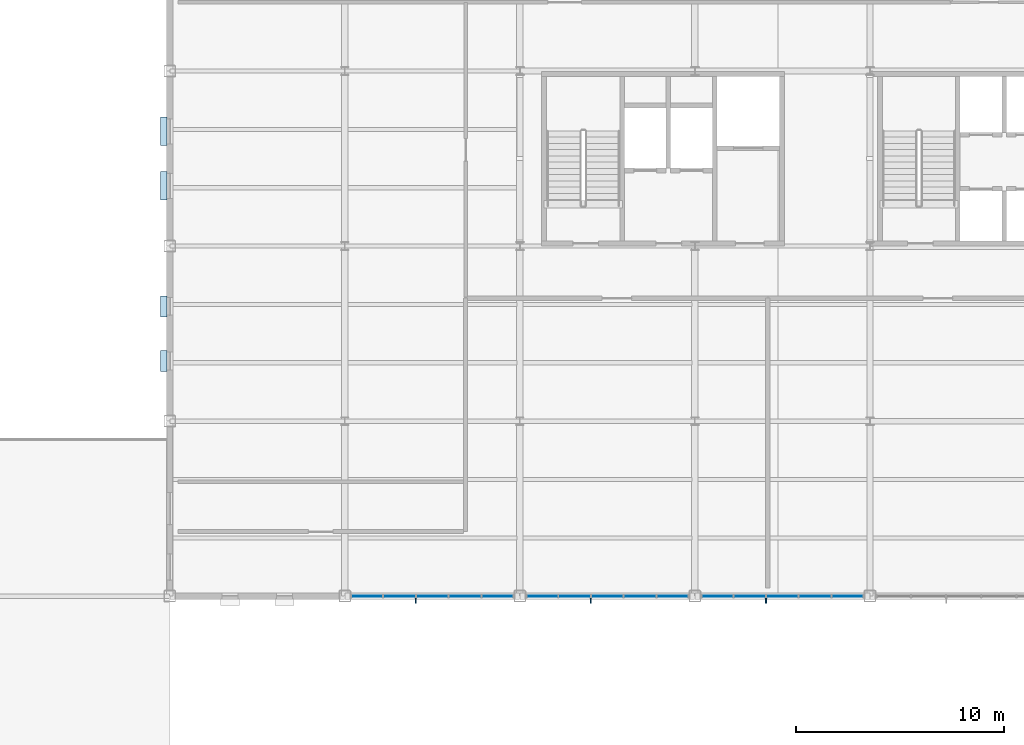
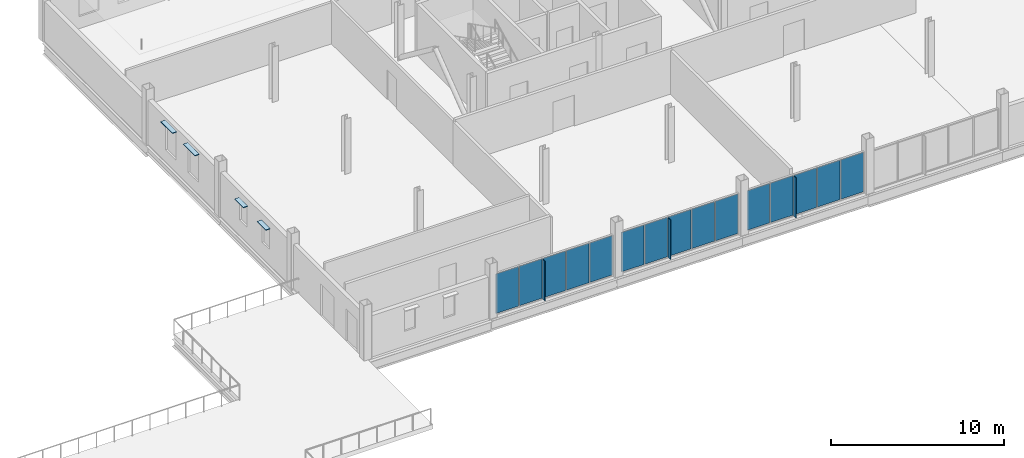
# One storey, part 44 of 77: 22 plates, 3 elements without a shape of their own.
"""IFC4 building model written with IfcOpenShell, lengths in metres."""

import ifcopenshell
import ifcopenshell.guid

model = None  # the IFC model being written
_history = None  # IfcOwnerHistory: only IFC2X3 demands one
_inside = {}  # id of a spatial element -> (the spatial element, [elements in it])
_under = {}  # id of a project, library or spatial element -> (it, [spatial elements below it])
_declared = {}  # id of a project -> (the project, [libraries it declares])
_typed = {}  # id of a type object -> (the type object, [elements of that type])
_made_of = {}  # id of a material, layer set ... -> (it, [elements and type objects made of it])


def new_model(schema):
    """Start an empty IFC model of exactly this schema.

    Asked for "IFC4X3", IfcOpenShell would pick the latest addendum, in which some entities
    have other attributes; the version numbers below select the first issue.
    IFC2X3 requires an IfcOwnerHistory on every rooted entity: one is made here for all.
    """
    global model, _history
    if schema == "IFC4X3":
        model = ifcopenshell.file(schema_version=(4, 3, 0, 0))
    else:
        model = ifcopenshell.file(schema=schema)
    _inside.clear()
    _under.clear()
    _declared.clear()
    _typed.clear()
    _made_of.clear()
    _history = None
    if model.schema == "IFC2X3":
        org = make("IfcOrganization", Name="unknown")
        user = make(
            "IfcPersonAndOrganization",
            ThePerson=make("IfcPerson", FamilyName="unknown"),
            TheOrganization=org,
        )
        app = make(
            "IfcApplication",
            ApplicationDeveloper=org,
            Version="unknown",
            ApplicationFullName="unknown",
            ApplicationIdentifier="unknown",
        )
        _history = make(
            "IfcOwnerHistory",
            OwningUser=user,
            OwningApplication=app,
            ChangeAction="ADDED",
            CreationDate=0,
        )
    return model


def make(cls, **values):
    """One entity of the class cls with the attributes given. An attribute that is None is left unset."""
    return model.create_entity(
        cls, **{name: value for name, value in values.items() if value is not None}
    )


def rooted(cls, **values):
    """An entity with a GlobalId (a new one), such as an element, a storey or a relation."""
    return make(cls, GlobalId=ifcopenshell.guid.new(), OwnerHistory=_history, **values)


def si_unit(unit_type, name, prefix=None):
    """IfcSIUnit, for example si_unit("LENGTHUNIT", "METRE", prefix="MILLI")."""
    return make("IfcSIUnit", UnitType=unit_type, Prefix=prefix, Name=name)


def assignment(units):
    """IfcUnitAssignment: the units of a project."""
    return None if units is None else make("IfcUnitAssignment", Units=units)


def point(xyz):
    """IfcCartesianPoint."""
    return None if xyz is None else make("IfcCartesianPoint", Coordinates=xyz)


def direction(xyz):
    """IfcDirection."""
    return None if xyz is None else make("IfcDirection", DirectionRatios=xyz)


def frame(location, z_axis=None, x_axis=None):
    """IfcAxis2Placement3D, a coordinate frame: its origin and axes. An axis left out is left unset."""
    return make(
        "IfcAxis2Placement3D",
        Location=point(location),
        Axis=direction(z_axis),
        RefDirection=direction(x_axis),
    )


def frame_2d(location, x_axis=None):
    """IfcAxis2Placement2D, a coordinate frame in the plane: its origin and x axis."""
    return make(
        "IfcAxis2Placement2D", Location=point(location), RefDirection=direction(x_axis)
    )


def origin():
    """The frame at (0, 0, 0) with its axes left unset."""
    return frame((0.0, 0.0, 0.0))


def origin_2d():
    """The frame at (0, 0) in the plane with its x axis left unset."""
    return frame_2d((0.0, 0.0))


def place(relative_to, where):
    """IfcLocalPlacement: puts the frame where relative to a parent placement (None: the world)."""
    return make(
        "IfcLocalPlacement", PlacementRelTo=relative_to, RelativePlacement=where
    )


def context(
    kind, dimensions, precision=None, world=None, true_north=None, identifier=None
):
    """IfcGeometricRepresentationContext, for example the 3D "Model" context."""
    return make(
        "IfcGeometricRepresentationContext",
        ContextIdentifier=identifier,
        ContextType=kind,
        CoordinateSpaceDimension=dimensions,
        Precision=precision,
        WorldCoordinateSystem=world,
        TrueNorth=true_north,
    )


def subcontext(parent, identifier, kind, view, scale=None):
    """IfcGeometricRepresentationSubContext, for example "Body" below "Model"."""
    return make(
        "IfcGeometricRepresentationSubContext",
        ContextIdentifier=identifier,
        ContextType=kind,
        ParentContext=parent,
        TargetScale=scale,
        TargetView=view,
    )


def project(units=None, contexts=None):
    """IfcProject with its units and contexts."""
    return rooted(
        "IfcProject",
        Name="project",
        RepresentationContexts=contexts,
        UnitsInContext=assignment(units),
    )


def spatial(cls, under=None, at=None, **own):
    """A site, building, storey or space (cls), placed at a placement, below another one or the project."""
    s = rooted(cls, ObjectPlacement=at, **own)
    if under is not None:
        _under.setdefault(under.id(), (under, []))[1].append(s)
    return s


def profile(cls, at=None, kind="AREA", **sizes):
    """A parametric profile (cls). Its sizes go by their IFC names, for example OverallWidth=200.0."""
    return make(cls, ProfileType=kind, Position=at, **sizes)


def rectangle(**sizes):
    """IfcRectangleProfileDef."""
    return profile("IfcRectangleProfileDef", **sizes)


def extrude(swept, where, along, depth):
    """IfcExtrudedAreaSolid: the profile swept, set in the frame where, extruded along a direction by depth."""
    return make(
        "IfcExtrudedAreaSolid",
        SweptArea=swept,
        Position=where,
        ExtrudedDirection=direction(along),
        Depth=depth,
    )


def shape(context_of_items, identifier, shape_type, items):
    """IfcShapeRepresentation: the items that make up one representation, for example the "Body"."""
    return make(
        "IfcShapeRepresentation",
        ContextOfItems=context_of_items,
        RepresentationIdentifier=identifier,
        RepresentationType=shape_type,
        Items=items,
    )


def material(Name=None, Category=None):
    """IfcMaterial."""
    return make("IfcMaterial", Name=Name, Category=Category)


def layer(
    of_material, thickness, ventilated=None, Name=None, Category=None, Priority=None
):
    """IfcMaterialLayer: one layer of a wall or slab, of a material (None: an air gap)."""
    return make(
        "IfcMaterialLayer",
        Material=of_material,
        LayerThickness=thickness,
        IsVentilated=ventilated,
        Name=Name,
        Category=Category,
        Priority=Priority,
    )


def layer_set(layers, Name=None):
    """IfcMaterialLayerSet."""
    return make("IfcMaterialLayerSet", MaterialLayers=layers, LayerSetName=Name)


def made_of(thing, what):
    """Note that an element or type object is made of a material, layer set ...; save() writes the relation."""
    if what is not None:
        _made_of.setdefault(what.id(), (what, []))[1].append(thing)
    return thing


def type_object(cls, material=None, **own):
    """A type object (cls), such as IfcWallType, which elements share."""
    return made_of(rooted(cls, **own), material)


def element(
    cls,
    number,
    at=None,
    inside=None,
    cuts=None,
    type_object=None,
    material=None,
    context=None,
    identifier="Body",
    shape_type=None,
    held_by="IfcProductDefinitionShape",
    body=None,
    shapes=None,
    **own,
):
    """One element of the class cls, such as IfcWall. Its Tag is "e" and its number.

    at: its placement. inside: the storey or other place that contains it. cuts: it is an
    opening in that element (IfcRelVoidsElement). A single representation is given by context,
    identifier, shape_type and body (its items); several are given by shapes. held_by: the class
    of the entity that holds the representations. save() writes the other relations.
    """
    e = rooted(cls, Tag="e%d" % number, ObjectPlacement=at, **own)
    if body is not None:
        shapes = [shape(context, identifier, shape_type, body)]
    if shapes is not None:
        e.Representation = make(held_by, Representations=shapes)
    if inside is not None:
        _inside.setdefault(inside.id(), (inside, []))[1].append(e)
    if cuts is not None:
        rooted(
            "IfcRelVoidsElement", RelatingBuildingElement=cuts, RelatedOpeningElement=e
        )
    if type_object is not None:
        _typed.setdefault(type_object.id(), (type_object, []))[1].append(e)
    return made_of(e, material)


def aggregate(whole, parts):
    """IfcRelAggregates: a whole, such as a stair, and the parts it consists of."""
    return rooted("IfcRelAggregates", RelatingObject=whole, RelatedObjects=parts)


def save(model, path):
    """Write the relations noted so far, then the file.

    IfcRelAggregates (storeys below a building ...), IfcRelContainedInSpatialStructure (elements
    in a storey), IfcRelDefinesByType, IfcRelAssociatesMaterial and IfcRelDeclares: one each for
    every whole, place, type object, material and project.
    """
    for whole, parts in _under.values():
        aggregate(whole, parts)
    for where, things in _inside.values():
        rooted(
            "IfcRelContainedInSpatialStructure",
            RelatedElements=things,
            RelatingStructure=where,
        )
    for kind, things in _typed.values():
        rooted("IfcRelDefinesByType", RelatedObjects=things, RelatingType=kind)
    for what, things in _made_of.values():
        rooted("IfcRelAssociatesMaterial", RelatedObjects=things, RelatingMaterial=what)
    for by, libraries in _declared.values():
        rooted("IfcRelDeclares", RelatingContext=by, RelatedDefinitions=libraries)
    model.write(path)


model = new_model("IFC4")

# Units and contexts
model_context = context("Model", 3, precision=1e-05, world=origin(), true_north=direction((0.0, 1.0)))
body_context = subcontext(model_context, "Body", "Model", "MODEL_VIEW")
ifc_project = project(units=[si_unit("LENGTHUNIT", "METRE"), si_unit("AREAUNIT", "SQUARE_METRE"), si_unit("VOLUMEUNIT", "CUBIC_METRE"), si_unit("PLANEANGLEUNIT", "RADIAN"), si_unit("MASSUNIT", "GRAM", prefix="KILO")], contexts=[model_context])

# Site, building, storey
site_placement = place(None, origin())
site = spatial("IfcSite", under=ifc_project, at=site_placement, CompositionType="ELEMENT")
building_placement = place(site_placement, origin())
building = spatial("IfcBuilding", under=site, at=building_placement, Name="Yukiwa Park Conservatory and Herbarium", CompositionType="ELEMENT")
storey_placement = place(building_placement, frame((0.0, 0.0, 13.199951171875)))
storey = spatial("IfcBuildingStorey", under=building, at=storey_placement, Name="L03", CompositionType="ELEMENT", Elevation=13.199951171875)

# Curtain wall, plates
ifc_material_1 = material(Name="Triple Low-E Insulated Glass", Category="glass")
ifc_layer_1 = layer(ifc_material_1, 0.199951171875)
ifc_layer_set_1 = layer_set([ifc_layer_1], Name="Triple Low-E Insulated Glass")
curtain_wall_type = type_object("IfcCurtainWallType", Name="CW-VISITOR-1600", PredefinedType="NOTDEFINED", material=ifc_layer_set_1)
curtain_wall_1_placement = place(storey_placement, origin())
curtain_wall_1 = element("IfcCurtainWall", 1, at=curtain_wall_1_placement, inside=storey, type_object=curtain_wall_type, Name="L03 unitised curtain wall CW-L03-068", PredefinedType="NOTDEFINED")
ifc_material_2 = material(Name="Triple Low-E Insulated Glass", Category="glass")
ifc_layer_2 = layer(ifc_material_2, 0.035888671875)
ifc_layer_set_2 = layer_set([ifc_layer_2], Name="Triple Low-E Insulated Glass")
plate_type_1 = type_object("IfcPlateType", Name="PL-CW-GLZ-36", PredefinedType="CURTAIN_PANEL", material=ifc_layer_set_2)
plate_1_placement = place(storey_placement, frame((125.860107421875, 78.0, 0.070068359375), z_axis=(0.0, 0.0, 1.0), x_axis=(1.0, 0.0, 0.0)))
plate_1 = element("IfcPlate", 2, at=plate_1_placement, type_object=plate_type_1, Name="CW-L03-068 vision panel 1.1", PredefinedType="CURTAIN_PANEL", context=body_context, shape_type="SweptSolid", body=[
    extrude(rectangle(XDim=1.5, YDim=0.035888671875, at=origin_2d()), origin(), (0.0, 0.0, 1.0), 2.7880859375),
])
plate_2_placement = place(storey_placement, frame((127.429931640625, 78.0, 0.070068359375), z_axis=(0.0, 0.0, 1.0), x_axis=(1.0, 0.0, 0.0)))
plate_2 = element("IfcPlate", 3, at=plate_2_placement, type_object=plate_type_1, Name="CW-L03-068 vision panel 2.1", PredefinedType="CURTAIN_PANEL", context=body_context, shape_type="SweptSolid", body=[
    extrude(rectangle(XDim=1.5, YDim=0.035888671875, at=origin_2d()), origin(), (0.0, 0.0, 1.0), 2.7880859375),
])
plate_3_placement = place(storey_placement, frame((129.0, 78.0, 0.070068359375), z_axis=(0.0, 0.0, 1.0), x_axis=(1.0, 0.0, 0.0)))
plate_3 = element("IfcPlate", 4, at=plate_3_placement, type_object=plate_type_1, Name="CW-L03-068 vision panel 3.1", PredefinedType="CURTAIN_PANEL", context=body_context, shape_type="SweptSolid", body=[
    extrude(rectangle(XDim=1.5, YDim=0.035888671875, at=origin_2d()), origin(), (0.0, 0.0, 1.0), 2.7880859375),
])
plate_4_placement = place(storey_placement, frame((130.570068359375, 78.0, 0.070068359375), z_axis=(0.0, 0.0, 1.0), x_axis=(1.0, 0.0, 0.0)))
plate_4 = element("IfcPlate", 5, at=plate_4_placement, type_object=plate_type_1, Name="CW-L03-068 vision panel 4.1", PredefinedType="CURTAIN_PANEL", context=body_context, shape_type="SweptSolid", body=[
    extrude(rectangle(XDim=1.5, YDim=0.035888671875, at=origin_2d()), origin(), (0.0, 0.0, 1.0), 2.7880859375),
])
plate_5_placement = place(storey_placement, frame((132.139892578125, 78.0, 0.070068359375), z_axis=(0.0, 0.0, 1.0), x_axis=(1.0, 0.0, 0.0)))
plate_5 = element("IfcPlate", 6, at=plate_5_placement, type_object=plate_type_1, Name="CW-L03-068 vision panel 5.1", PredefinedType="CURTAIN_PANEL", context=body_context, shape_type="SweptSolid", body=[
    extrude(rectangle(XDim=1.5, YDim=0.035888671875, at=origin_2d()), origin(), (0.0, 0.0, 1.0), 2.7880859375),
])
aggregate(curtain_wall_1, [plate_1, plate_2, plate_3, plate_4, plate_5])

curtain_wall_2_placement = place(storey_placement, origin())
curtain_wall_2 = element("IfcCurtainWall", 7, at=curtain_wall_2_placement, inside=storey, type_object=curtain_wall_type, Name="L03 unitised curtain wall CW-L03-069", PredefinedType="NOTDEFINED")
plate_6_placement = place(storey_placement, frame((134.260009765625, 78.0, 0.070068359375), z_axis=(0.0, 0.0, 1.0), x_axis=(1.0, 0.0, 0.0)))
plate_6 = element("IfcPlate", 8, at=plate_6_placement, type_object=plate_type_1, Name="CW-L03-069 vision panel 1.1", PredefinedType="CURTAIN_PANEL", context=body_context, shape_type="SweptSolid", body=[
    extrude(rectangle(XDim=1.5, YDim=0.035888671875, at=origin_2d()), origin(), (0.0, 0.0, 1.0), 2.7880859375),
])
plate_7_placement = place(storey_placement, frame((135.830078125, 78.0, 0.070068359375), z_axis=(0.0, 0.0, 1.0), x_axis=(1.0, 0.0, 0.0)))
plate_7 = element("IfcPlate", 9, at=plate_7_placement, type_object=plate_type_1, Name="CW-L03-069 vision panel 2.1", PredefinedType="CURTAIN_PANEL", context=body_context, shape_type="SweptSolid", body=[
    extrude(rectangle(XDim=1.5, YDim=0.035888671875, at=origin_2d()), origin(), (0.0, 0.0, 1.0), 2.7880859375),
])
plate_8_placement = place(storey_placement, frame((137.39990234375, 78.0, 0.070068359375), z_axis=(0.0, 0.0, 1.0), x_axis=(1.0, 0.0, 0.0)))
plate_8 = element("IfcPlate", 10, at=plate_8_placement, type_object=plate_type_1, Name="CW-L03-069 vision panel 3.1", PredefinedType="CURTAIN_PANEL", context=body_context, shape_type="SweptSolid", body=[
    extrude(rectangle(XDim=1.5, YDim=0.035888671875, at=origin_2d()), origin(), (0.0, 0.0, 1.0), 2.7880859375),
])
plate_9_placement = place(storey_placement, frame((138.969970703125, 78.0, 0.070068359375), z_axis=(0.0, 0.0, 1.0), x_axis=(1.0, 0.0, 0.0)))
plate_9 = element("IfcPlate", 11, at=plate_9_placement, type_object=plate_type_1, Name="CW-L03-069 vision panel 4.1", PredefinedType="CURTAIN_PANEL", context=body_context, shape_type="SweptSolid", body=[
    extrude(rectangle(XDim=1.5, YDim=0.035888671875, at=origin_2d()), origin(), (0.0, 0.0, 1.0), 2.7880859375),
])
plate_10_placement = place(storey_placement, frame((140.5400390625, 78.0, 0.070068359375), z_axis=(0.0, 0.0, 1.0), x_axis=(1.0, 0.0, 0.0)))
plate_10 = element("IfcPlate", 12, at=plate_10_placement, type_object=plate_type_1, Name="CW-L03-069 vision panel 5.1", PredefinedType="CURTAIN_PANEL", context=body_context, shape_type="SweptSolid", body=[
    extrude(rectangle(XDim=1.5, YDim=0.035888671875, at=origin_2d()), origin(), (0.0, 0.0, 1.0), 2.7880859375),
])
aggregate(curtain_wall_2, [plate_6, plate_7, plate_8, plate_9, plate_10])

curtain_wall_3_placement = place(storey_placement, origin())
curtain_wall_3 = element("IfcCurtainWall", 13, at=curtain_wall_3_placement, inside=storey, type_object=curtain_wall_type, Name="L03 unitised curtain wall CW-L03-070", PredefinedType="NOTDEFINED")
plate_11_placement = place(storey_placement, frame((142.659912109375, 78.0, 0.070068359375), z_axis=(0.0, 0.0, 1.0), x_axis=(1.0, 0.0, 0.0)))
plate_11 = element("IfcPlate", 14, at=plate_11_placement, type_object=plate_type_1, Name="CW-L03-070 vision panel 1.1", PredefinedType="CURTAIN_PANEL", context=body_context, shape_type="SweptSolid", body=[
    extrude(rectangle(XDim=1.5, YDim=0.035888671875, at=origin_2d()), origin(), (0.0, 0.0, 1.0), 2.7880859375),
])
plate_12_placement = place(storey_placement, frame((144.22998046875, 78.0, 0.070068359375), z_axis=(0.0, 0.0, 1.0), x_axis=(1.0, 0.0, 0.0)))
plate_12 = element("IfcPlate", 15, at=plate_12_placement, type_object=plate_type_1, Name="CW-L03-070 vision panel 2.1", PredefinedType="CURTAIN_PANEL", context=body_context, shape_type="SweptSolid", body=[
    extrude(rectangle(XDim=1.5, YDim=0.035888671875, at=origin_2d()), origin(), (0.0, 0.0, 1.0), 2.7880859375),
])
plate_13_placement = place(storey_placement, frame((145.800048828125, 78.0, 0.070068359375), z_axis=(0.0, 0.0, 1.0), x_axis=(1.0, 0.0, 0.0)))
plate_13 = element("IfcPlate", 16, at=plate_13_placement, type_object=plate_type_1, Name="CW-L03-070 vision panel 3.1", PredefinedType="CURTAIN_PANEL", context=body_context, shape_type="SweptSolid", body=[
    extrude(rectangle(XDim=1.5, YDim=0.035888671875, at=origin_2d()), origin(), (0.0, 0.0, 1.0), 2.7880859375),
])
plate_14_placement = place(storey_placement, frame((147.3701171875, 78.0, 0.070068359375), z_axis=(0.0, 0.0, 1.0), x_axis=(1.0, 0.0, 0.0)))
plate_14 = element("IfcPlate", 17, at=plate_14_placement, type_object=plate_type_1, Name="CW-L03-070 vision panel 4.1", PredefinedType="CURTAIN_PANEL", context=body_context, shape_type="SweptSolid", body=[
    extrude(rectangle(XDim=1.5, YDim=0.035888671875, at=origin_2d()), origin(), (0.0, 0.0, 1.0), 2.7880859375),
])
plate_15_placement = place(storey_placement, frame((148.93994140625, 78.0, 0.070068359375), z_axis=(0.0, 0.0, 1.0), x_axis=(1.0, 0.0, 0.0)))
plate_15 = element("IfcPlate", 18, at=plate_15_placement, type_object=plate_type_1, Name="CW-L03-070 vision panel 5.1", PredefinedType="CURTAIN_PANEL", context=body_context, shape_type="SweptSolid", body=[
    extrude(rectangle(XDim=1.5, YDim=0.035888671875, at=origin_2d()), origin(), (0.0, 0.0, 1.0), 2.7880859375),
])
aggregate(curtain_wall_3, [plate_11, plate_12, plate_13, plate_14, plate_15])

# Plates
ifc_material_3 = material(Name="Anodised Aluminium", Category="aluminium")
ifc_layer_3 = layer(ifc_material_3, 0.050048828125)
ifc_layer_set_3 = layer_set([ifc_layer_3], Name="Anodised Aluminium")
plate_type_2 = type_object("IfcPlateType", Name="PL-FIN-ALU-50", PredefinedType="USERDEFINED", material=ifc_layer_set_3)
for number, where, z_axis, x_axis, name in (
    (19, (128.215087890625, 77.81005859375, 0.06005859375), (0.0, 0.0, 1.0), (1.0, 0.0, 0.0), "CW-L03-068 exterior vertical shading fin"),
    (20, (136.614990234375, 77.81005859375, 0.06005859375), (0.0, 0.0, 1.0), (1.0, 0.0, 0.0), "CW-L03-069 exterior vertical shading fin"),
    (21, (145.014892578125, 77.81005859375, 0.06005859375), (0.0, 0.0, 1.0), (1.0, 0.0, 0.0), "CW-L03-070 exterior vertical shading fin"),
):
    element("IfcPlate", number, at=place(storey_placement, frame(where, z_axis=z_axis, x_axis=x_axis)), inside=storey, type_object=plate_type_2, Name=name, ObjectType="SHADING FIN", PredefinedType="USERDEFINED", context=body_context, shape_type="SweptSolid", body=[
        extrude(rectangle(XDim=0.050048828125, YDim=0.280029296875, at=origin_2d()), origin(), (0.0, 0.0, 1.0), 2.80810546875),
    ])
ifc_material_4 = material(Name="Anodised Aluminium", Category="aluminium")
ifc_layer_4 = layer(ifc_material_4, 0.0400390625)
ifc_layer_set_4 = layer_set([ifc_layer_4], Name="Anodised Aluminium")
plate_type_3 = type_object("IfcPlateType", Name="PL-SHADE-ALU-40", PredefinedType="SHEET", material=ifc_layer_set_4)
for number, where, z_axis, x_axis, name in (
    (22, (116.110107421875, 100.30810546875, 2.860107421875), (0.0, 0.0, 1.0), (0.0, -1.0, 0.0), "L03 snow-shedding window hood 126"),
    (23, (116.110107421875, 97.69189453125, 2.860107421875), (0.0, 0.0, 1.0), (0.0, -1.0, 0.0), "L03 snow-shedding window hood 127"),
):
    element("IfcPlate", number, at=place(storey_placement, frame(where, z_axis=z_axis, x_axis=x_axis)), inside=storey, type_object=plate_type_3, Name=name, PredefinedType="SHEET", context=body_context, shape_type="SweptSolid", body=[
        extrude(rectangle(XDim=1.360107421875, YDim=0.300048828125, at=origin_2d()), origin(), (0.0, 0.0, 1.0), 0.0400390625),
    ])
for number, where, z_axis, x_axis, name in (
    (24, (116.110107421875, 91.907958984375, 2.590087890625), (0.0, 0.0, 1.0), (0.0, -1.0, 0.0), "L03 snow-shedding window hood 128"),
    (25, (116.110107421875, 89.2919921875, 2.590087890625), (0.0, 0.0, 1.0), (0.0, -1.0, 0.0), "L03 snow-shedding window hood 129"),
):
    element("IfcPlate", number, at=place(storey_placement, frame(where, z_axis=z_axis, x_axis=x_axis)), inside=storey, type_object=plate_type_3, Name=name, PredefinedType="SHEET", context=body_context, shape_type="SweptSolid", body=[
        extrude(rectangle(XDim=1.010009765625, YDim=0.300048828125, at=origin_2d()), origin(), (0.0, 0.0, 1.0), 0.0400390625),
    ])

save(model, "model.ifc")
